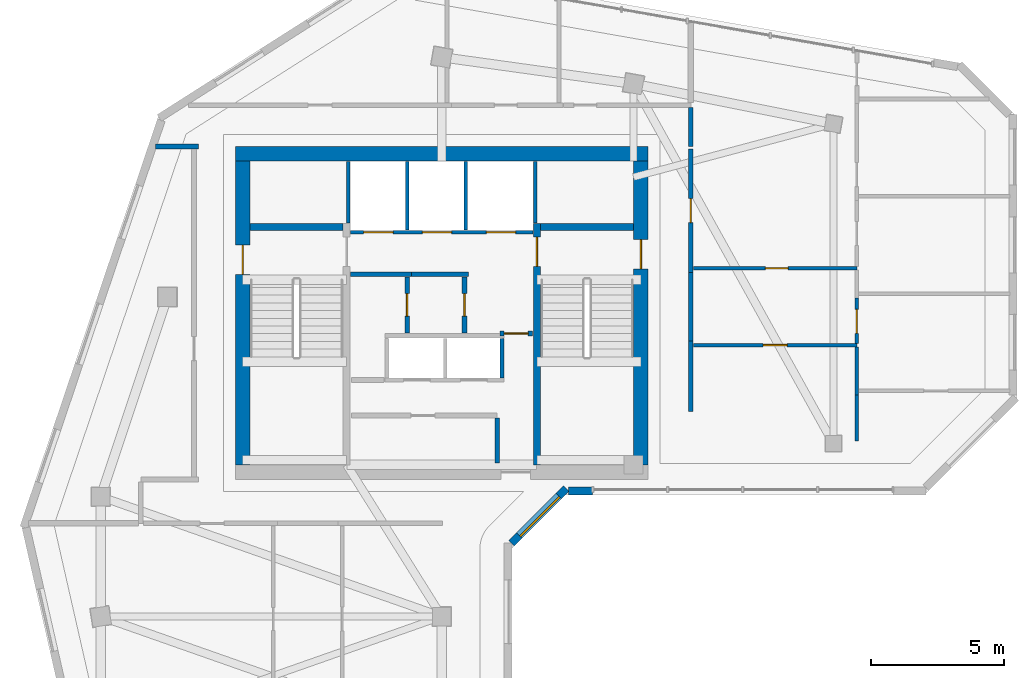
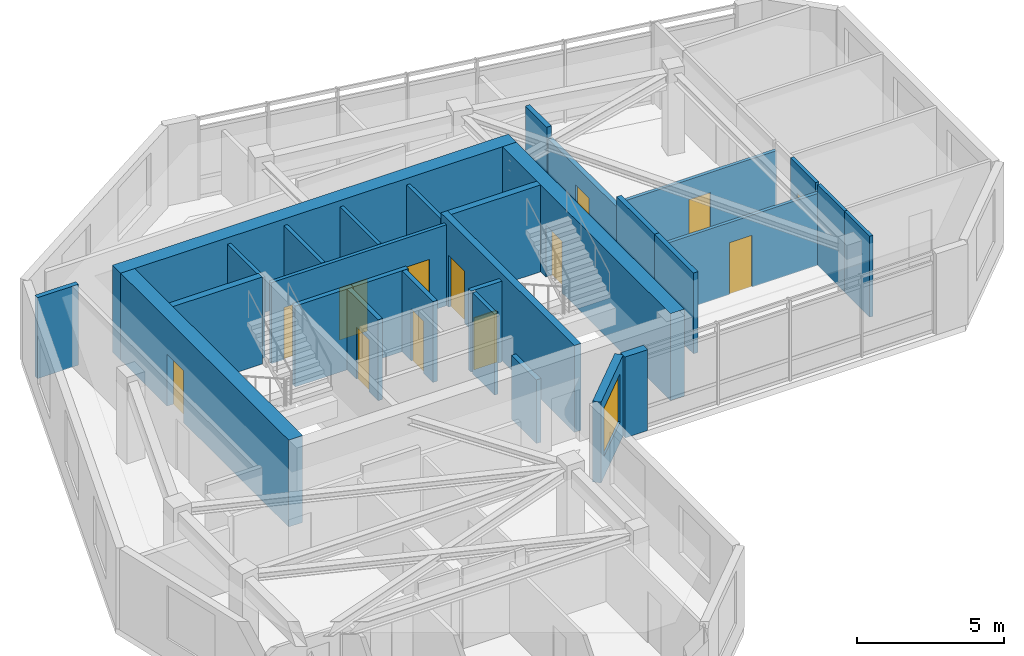
# One storey, part 5 of 10: 30 walls, 13 doors, 1 window, 14 openings.
"""IFC4 building model written with IfcOpenShell, lengths in metres."""

from ifc_helpers import new_model, si_unit, direction, frame, frame_2d, origin, place, context, subcontext, project, spatial, rectangle, extrude, source, transform, mapped, material, layer, layer_set, type_object, element, fill, save


model = new_model("IFC4")

# Units and contexts
model_context = context("Model", 3, precision=1e-05, world=origin(), true_north=direction((0.0, 1.0)))
body_context = subcontext(model_context, "Body", "Model", "MODEL_VIEW")
ifc_project = project(units=[si_unit("LENGTHUNIT", "METRE"), si_unit("AREAUNIT", "SQUARE_METRE"), si_unit("VOLUMEUNIT", "CUBIC_METRE"), si_unit("PLANEANGLEUNIT", "RADIAN"), si_unit("MASSUNIT", "GRAM", prefix="KILO")], contexts=[model_context])

# Site, building, storey
site_placement = place(None, origin())
site = spatial("IfcSite", under=ifc_project, at=site_placement, CompositionType="ELEMENT")
building_placement = place(site_placement, origin())
building = spatial("IfcBuilding", under=site, at=building_placement, Name="Calvemar Wedge Station Tower", CompositionType="ELEMENT")
storey_placement = place(building_placement, frame((0.0, 0.0, 256.5)))
storey = spatial("IfcBuildingStorey", under=building, at=storey_placement, Name="L65", CompositionType="ELEMENT", Elevation=256.5)

# Wall, opening, door
ifc_material_1 = material(Name="Concrete C50", Category="concrete")
ifc_layer_1 = layer(ifc_material_1, 0.260009765625)
ifc_layer_set_1 = layer_set([ifc_layer_1], Name="Concrete C50")
wall_type_1 = type_object("IfcWallType", Name="SW-CORE-260", PredefinedType="SHEAR", material=ifc_layer_set_1)
wall_1_placement = place(storey_placement, frame((27.3701171875, 34.199951171875, 0.0), z_axis=(0.0, 0.0, 1.0), x_axis=(0.0, 1.0, 0.0)))
wall_1 = element("IfcWall", 1, at=wall_1_placement, inside=storey, type_object=wall_type_1, Name="Storey L65 Core Shear Wall SPINE-E", PredefinedType="SHEAR", context=body_context, shape_type="SweptSolid", body=[
    extrude(rectangle(XDim=9.06005859375, YDim=0.260009765625, at=frame_2d((4.530029296875, 0.0))), origin(), (0.0, 0.0, 1.0), 3.60009765625),
])
shared_shape_1 = source(origin(), body_context, "Body", "SweptSolid", [
    extrude(rectangle(XDim=1.10009765625, YDim=2.14990234375, at=frame_2d((0.550048828125, 1.074951171875))), frame((0.0, 0.14013671875, 0.0), z_axis=(0.0, -1.0, 0.0), x_axis=(1.0, 0.0, 0.0)), (0.0, 0.0, 1.0), 0.280029296875),
])
opening_1_placement = place(wall_1_placement, frame((7.449951171875, 0.0, 0.0)))
opening_1 = element("IfcOpeningElement", 2, at=opening_1_placement, cuts=wall_1, Name="Opening FD-90", PredefinedType="OPENING", context=body_context, shape_type="MappedRepresentation", body=[
    mapped(shared_shape_1, transform((0.0, 0.0, 0.0), scale=1.0)),
])
ifc_material_2 = material(Name="Galvanized fire-rated steel door leaf P-90", Category="steel")
door_type_1 = type_object("IfcDoorType", Name="DR-FD90-1100", OperationType="NOTDEFINED", PredefinedType="DOOR", material=ifc_material_2)
shared_shape_2 = source(origin(), body_context, "Body", "SweptSolid", [
    extrude(rectangle(XDim=1.10009765625, YDim=2.14990234375, at=frame_2d((0.550048828125, 1.074951171875))), frame((0.0, 0.02490234375, 0.0), z_axis=(0.0, -1.0, 0.0), x_axis=(1.0, 0.0, 0.0)), (0.0, 0.0, 1.0), 0.050048828125),
])
door_1_placement = place(opening_1_placement, origin())
door_1 = element("IfcDoor", 3, at=door_1_placement, inside=storey, type_object=door_type_1, Name="L65 FF Lobby to Stair ST-C2 Door", OperationType="SINGLE_SWING_LEFT", OverallHeight=2.14990234375, OverallWidth=1.10009765625, PredefinedType="DOOR", context=body_context, shape_type="MappedRepresentation", body=[
    mapped(shared_shape_2, transform((0.0, 0.0, 0.0), scale=1.0)),
])
fill(opening_1, door_1)

# Walls
for number, where, z_axis, x_axis, name in (
    (4, (16.60009765625, 43.1298828125, 0.0), (0.0, 0.0, 1.0), (1.0, 0.0, 0.0), "Storey L65 Core Shear Wall STC1-N"),
    (5, (27.5, 43.1298828125, 0.0), (0.0, 0.0, 1.0), (1.0, 0.0, 0.0), "Storey L65 Core Shear Wall STC2-N"),
):
    element("IfcWall", number, at=place(storey_placement, frame(where, z_axis=z_axis, x_axis=x_axis)), inside=storey, type_object=wall_type_1, Name=name, PredefinedType="SHEAR", context=body_context, shape_type="SweptSolid", body=[
        extrude(rectangle(XDim=3.5, YDim=0.260009765625, at=frame_2d((1.75, 0.0))), origin(), (0.0, 0.0, 1.0), 3.60009765625),
    ])
ifc_material_3 = material(Name="Concrete C60", Category="concrete")
ifc_layer_2 = layer(ifc_material_3, 0.550048828125)
ifc_layer_set_2 = layer_set([ifc_layer_2], Name="Concrete C60")
wall_type_2 = type_object("IfcWallType", Name="SW-CORE-550", PredefinedType="SHEAR", material=ifc_layer_set_2)
wall_2_placement = place(storey_placement, frame((16.050048828125, 45.875, 0.0), z_axis=(0.0, 0.0, 1.0), x_axis=(1.0, 0.0, 0.0)))
element("IfcWall", 6, at=wall_2_placement, inside=storey, type_object=wall_type_2, Name="Storey L65 Core Shear Wall N", PredefinedType="SHEAR", context=body_context, shape_type="SweptSolid", body=[
    extrude(rectangle(XDim=15.5, YDim=0.550048828125, at=frame_2d((7.75, 0.0))), origin(), (0.0, 0.0, 1.0), 3.60009765625),
])

# Wall, opening, door
wall_3_placement = place(storey_placement, frame((16.324951171875, 34.199951171875, 0.0), z_axis=(0.0, 0.0, 1.0), x_axis=(0.0, 1.0, 0.0)))
wall_3 = element("IfcWall", 7, at=wall_3_placement, inside=storey, type_object=wall_type_2, Name="Storey L65 Core Shear Wall W", PredefinedType="SHEAR", context=body_context, shape_type="SweptSolid", body=[
    extrude(rectangle(XDim=11.400146484375, YDim=0.550048828125, at=frame_2d((5.7001953125, 0.0))), origin(), (0.0, 0.0, 1.0), 3.60009765625),
])
shared_shape_3 = source(origin(), body_context, "Body", "SweptSolid", [
    extrude(rectangle(XDim=1.10009765625, YDim=2.14990234375, at=frame_2d((0.550048828125, 1.074951171875))), frame((0.0, 0.28515625, 0.0), z_axis=(0.0, -1.0, 0.0), x_axis=(1.0, 0.0, 0.0)), (0.0, 0.0, 1.0), 0.570068359375),
])
opening_2_placement = place(wall_3_placement, frame((7.14990234375, 0.0, 0.0)))
opening_2 = element("IfcOpeningElement", 8, at=opening_2_placement, cuts=wall_3, Name="Opening FD-90", PredefinedType="OPENING", context=body_context, shape_type="MappedRepresentation", body=[
    mapped(shared_shape_3, transform((0.0, 0.0, 0.0), scale=1.0)),
])
door_2_placement = place(opening_2_placement, origin())
door_2 = element("IfcDoor", 9, at=door_2_placement, inside=storey, type_object=door_type_1, Name="L65 West Corridor to Exit Stair ST-C1 Door", OperationType="SINGLE_SWING_RIGHT", OverallHeight=2.14990234375, OverallWidth=1.10009765625, PredefinedType="DOOR", context=body_context, shape_type="MappedRepresentation", body=[
    mapped(shared_shape_2, transform((0.0, 0.0, 0.0), scale=1.0)),
])
fill(opening_2, door_2)

wall_4_placement = place(storey_placement, frame((31.27490234375, 34.199951171875, 0.0), z_axis=(0.0, 0.0, 1.0), x_axis=(0.0, 1.0, 0.0)))
wall_4 = element("IfcWall", 10, at=wall_4_placement, inside=storey, type_object=wall_type_2, Name="Storey L65 Core Shear Wall E", PredefinedType="SHEAR", context=body_context, shape_type="SweptSolid", body=[
    extrude(rectangle(XDim=11.400146484375, YDim=0.550048828125, at=frame_2d((5.7001953125, 0.0))), origin(), (0.0, 0.0, 1.0), 3.60009765625),
])
opening_3_placement = place(wall_4_placement, frame((7.35009765625, 0.0, 0.0)))
opening_3 = element("IfcOpeningElement", 11, at=opening_3_placement, cuts=wall_4, Name="Opening FD-90", PredefinedType="OPENING", context=body_context, shape_type="MappedRepresentation", body=[
    mapped(shared_shape_3, transform((0.0, 0.0, 0.0), scale=1.0)),
])
door_3_placement = place(opening_3_placement, origin())
door_3 = element("IfcDoor", 12, at=door_3_placement, inside=storey, type_object=door_type_1, Name="L65 East Corridor to Exit Stair ST-C2 Door", OperationType="SINGLE_SWING_LEFT", OverallHeight=2.14990234375, OverallWidth=1.10009765625, PredefinedType="DOOR", context=body_context, shape_type="MappedRepresentation", body=[
    mapped(shared_shape_2, transform((0.0, 0.0, 0.0), scale=1.0)),
])
fill(opening_3, door_3)

# Walls
ifc_material_4 = material(Name="Double-stud fire-rated corridor partition")
ifc_layer_3 = layer(ifc_material_4, 0.179931640625)
ifc_layer_set_3 = layer_set([ifc_layer_3], Name="Double-stud fire-rated corridor partition")
wall_type_3 = type_object("IfcWallType", Name="W-CORR-180", PredefinedType="PARTITIONING", material=ifc_layer_set_3)
wall_5_placement = place(storey_placement, frame((22.659912109375, 41.35009765625, 0.0), z_axis=(0.0, 0.0, 1.0), x_axis=(-1.0, 0.0, 0.0)))
element("IfcWall", 13, at=wall_5_placement, inside=storey, type_object=wall_type_3, Name="Storey L65 Interior Partition WL-L65-001", PredefinedType="PARTITIONING", context=body_context, shape_type="SweptSolid", body=[
    extrude(rectangle(XDim=2.280029296875, YDim=0.179931640625, at=frame_2d((1.14013671875, 0.0))), origin(), (0.0, 0.0, 1.0), 3.35009765625),
])
wall_6_placement = place(storey_placement, frame((24.81005859375, 41.35009765625, 0.0), z_axis=(0.0, 0.0, 1.0), x_axis=(-1.0, 0.0, 0.0)))
element("IfcWall", 14, at=wall_6_placement, inside=storey, type_object=wall_type_3, Name="Storey L65 Interior Partition WL-L65-002", PredefinedType="PARTITIONING", context=body_context, shape_type="SweptSolid", body=[
    extrude(rectangle(XDim=2.14794921875, YDim=0.179931640625, at=frame_2d((1.073974609375, 0.0))), origin(), (0.0, 0.0, 1.0), 3.35009765625),
])

# Wall, opening, door
wall_7_placement = place(storey_placement, frame((22.5, 41.256103515625, 0.0), z_axis=(0.0, 0.0, 1.0), x_axis=(0.0, -1.0, 0.0)))
wall_7 = element("IfcWall", 15, at=wall_7_placement, inside=storey, type_object=wall_type_3, Name="Storey L65 Interior Partition WL-L65-003", PredefinedType="PARTITIONING", context=body_context, shape_type="SweptSolid", body=[
    extrude(rectangle(XDim=2.106201171875, YDim=0.179931640625, at=frame_2d((1.05322265625, 0.0))), origin(), (0.0, 0.0, 1.0), 3.35009765625),
])
shared_shape_4 = source(origin(), body_context, "Body", "SweptSolid", [
    extrude(rectangle(XDim=0.85009765625, YDim=2.14990234375, at=frame_2d((0.425048828125, 1.074951171875))), frame((0.0, 0.10009765625, 0.0), z_axis=(0.0, -1.0, 0.0), x_axis=(1.0, 0.0, 0.0)), (0.0, 0.0, 1.0), 0.199951171875),
])
opening_4_placement = place(wall_7_placement, frame((0.6279296875, 0.0, 0.0)))
opening_4 = element("IfcOpeningElement", 16, at=opening_4_placement, cuts=wall_7, Name="Opening FD-60S", PredefinedType="OPENING", context=body_context, shape_type="MappedRepresentation", body=[
    mapped(shared_shape_4, transform((0.0, 0.0, 0.0), scale=1.0)),
])
ifc_material_5 = material(Name="Fire-rated steel and hardwood service door EI 60", Category="steel")
door_type_2 = type_object("IfcDoorType", Name="DR-CORE-FD60-850", OperationType="NOTDEFINED", PredefinedType="DOOR", material=ifc_material_5)
shared_shape_5 = source(origin(), body_context, "Body", "SweptSolid", [
    extrude(rectangle(XDim=0.85009765625, YDim=2.14990234375, at=frame_2d((0.425048828125, 1.074951171875))), frame((0.0, 0.02490234375, 0.0), z_axis=(0.0, -1.0, 0.0), x_axis=(1.0, 0.0, 0.0)), (0.0, 0.0, 1.0), 0.050048828125),
])
door_4_placement = place(opening_4_placement, origin())
door_4 = element("IfcDoor", 17, at=door_4_placement, inside=storey, type_object=door_type_2, Name="L65 IT and Telecoms Room Door", OperationType="SINGLE_SWING_LEFT", OverallHeight=2.14990234375, OverallWidth=0.85009765625, PredefinedType="DOOR", context=body_context, shape_type="MappedRepresentation", body=[
    mapped(shared_shape_5, transform((0.0, 0.0, 0.0), scale=1.0)),
])
fill(opening_4, door_4)

wall_8_placement = place(storey_placement, frame((24.64990234375, 41.256103515625, 0.0), z_axis=(0.0, 0.0, 1.0), x_axis=(0.0, -1.0, 0.0)))
wall_8 = element("IfcWall", 18, at=wall_8_placement, inside=storey, type_object=wall_type_3, Name="Storey L65 Interior Partition WL-L65-005", PredefinedType="PARTITIONING", context=body_context, shape_type="SweptSolid", body=[
    extrude(rectangle(XDim=2.106201171875, YDim=0.179931640625, at=frame_2d((1.05322265625, 0.0))), origin(), (0.0, 0.0, 1.0), 3.35009765625),
])
opening_5_placement = place(wall_8_placement, frame((0.6279296875, 0.0, 0.0)))
opening_5 = element("IfcOpeningElement", 19, at=opening_5_placement, cuts=wall_8, Name="Opening FD-60S", PredefinedType="OPENING", context=body_context, shape_type="MappedRepresentation", body=[
    mapped(shared_shape_4, transform((0.0, 0.0, 0.0), scale=1.0)),
])
door_5_placement = place(opening_5_placement, origin())
door_5 = element("IfcDoor", 20, at=door_5_placement, inside=storey, type_object=door_type_2, Name="L65 Core Equipment Store Door", OperationType="SINGLE_SWING_RIGHT", OverallHeight=2.14990234375, OverallWidth=0.85009765625, PredefinedType="DOOR", context=body_context, shape_type="MappedRepresentation", body=[
    mapped(shared_shape_5, transform((0.0, 0.0, 0.0), scale=1.0)),
])
fill(opening_5, door_5)

wall_9_placement = place(storey_placement, frame((27.199951171875, 39.1298828125, 0.0), z_axis=(0.0, 0.0, 1.0), x_axis=(-1.0, 0.0, 0.0)))
wall_9 = element("IfcWall", 21, at=wall_9_placement, inside=storey, type_object=wall_type_3, Name="Storey L65 Interior Partition WL-L65-006", PredefinedType="PARTITIONING", context=body_context, shape_type="SweptSolid", body=[
    extrude(rectangle(XDim=1.2099609375, YDim=0.179931640625, at=frame_2d((0.60498046875, 0.0))), origin(), (0.0, 0.0, 1.0), 3.35009765625),
])
shared_shape_6 = source(origin(), body_context, "Body", "SweptSolid", [
    extrude(rectangle(XDim=0.89990234375, YDim=2.14990234375, at=frame_2d((0.449951171875, 1.074951171875))), frame((0.0, 0.10009765625, 0.0), z_axis=(0.0, -1.0, 0.0), x_axis=(1.0, 0.0, 0.0)), (0.0, 0.0, 1.0), 0.199951171875),
])
opening_6_placement = place(wall_9_placement, frame((0.155029296875, 0.0, 0.0)))
opening_6 = element("IfcOpeningElement", 22, at=opening_6_placement, cuts=wall_9, Name="Opening FD-60", PredefinedType="OPENING", context=body_context, shape_type="MappedRepresentation", body=[
    mapped(shared_shape_6, transform((0.0, 0.0, 0.0), scale=1.0)),
])
ifc_material_6 = material(Name="Fire-rated acoustic timber-core entrance door EI 60", Category="wood")
door_type_3 = type_object("IfcDoorType", Name="DR-FD60-900", OperationType="NOTDEFINED", PredefinedType="DOOR", material=ifc_material_6)
shared_shape_7 = source(origin(), body_context, "Body", "SweptSolid", [
    extrude(rectangle(XDim=0.89990234375, YDim=2.14990234375, at=frame_2d((0.449951171875, 1.074951171875))), frame((0.0, 0.02490234375, 0.0), z_axis=(0.0, -1.0, 0.0), x_axis=(1.0, 0.0, 0.0)), (0.0, 0.0, 1.0), 0.050048828125),
])
door_6_placement = place(opening_6_placement, origin())
door_6 = element("IfcDoor", 23, at=door_6_placement, inside=storey, type_object=door_type_3, Name="L65 Core Service Lobby Door", OperationType="SINGLE_SWING_LEFT", OverallHeight=2.14990234375, OverallWidth=0.89990234375, PredefinedType="DOOR", context=body_context, shape_type="MappedRepresentation", body=[
    mapped(shared_shape_7, transform((0.0, 0.0, 0.0), scale=1.0)),
])
fill(opening_6, door_6)

# Walls
wall_10_placement = place(storey_placement, frame((25.8798828125, 35.9560546875, 0.0), z_axis=(0.0, 0.0, 1.0), x_axis=(0.0, -1.0, 0.0)))
element("IfcWall", 24, at=wall_10_placement, inside=storey, type_object=wall_type_3, Name="Storey L65 Interior Partition WL-L65-008", PredefinedType="PARTITIONING", context=body_context, shape_type="SweptSolid", body=[
    extrude(rectangle(XDim=1.68603515625, YDim=0.179931640625, at=frame_2d((0.843017578125, 0.0))), origin(), (0.0, 0.0, 1.0), 2.64208984375),
])
wall_11_placement = place(storey_placement, frame((14.659912109375, 46.14990234375, 0.0), z_axis=(0.0, 0.0, 1.0), x_axis=(-1.0, 0.0, 0.0)))
element("IfcWall", 25, at=wall_11_placement, inside=storey, type_object=wall_type_3, Name="Storey L65 Interior Partition WL-L65-015", PredefinedType="PARTITIONING", context=body_context, shape_type="SweptSolid", body=[
    extrude(rectangle(XDim=1.602294921875, YDim=0.179931640625, at=frame_2d((0.80126953125, 0.0))), origin(), (0.0, 0.0, 1.0), 3.35009765625),
])
wall_12_placement = place(storey_placement, frame((33.14990234375, 47.60595703125, 0.0), z_axis=(0.0, 0.0, 1.0), x_axis=(0.0, -1.0, 0.0)))
element("IfcWall", 26, at=wall_12_placement, inside=storey, type_object=wall_type_3, Name="Storey L65 Interior Partition WL-L65-019", PredefinedType="PARTITIONING", context=body_context, shape_type="SweptSolid", body=[
    extrude(rectangle(XDim=1.4560546875, YDim=0.179931640625, at=frame_2d((0.72802734375, 0.0))), origin(), (0.0, 0.0, 1.0), 3.35009765625),
])
wall_13_placement = place(storey_placement, frame((33.14990234375, 38.85205078125, 0.0), z_axis=(0.0, 0.0, 1.0), x_axis=(0.0, -1.0, 0.0)))
element("IfcWall", 27, at=wall_13_placement, inside=storey, type_object=wall_type_3, Name="Storey L65 Interior Partition WL-L65-020", PredefinedType="PARTITIONING", context=body_context, shape_type="SweptSolid", body=[
    extrude(rectangle(XDim=2.652099609375, YDim=0.179931640625, at=frame_2d((1.326171875, 0.0))), origin(), (0.0, 0.0, 1.0), 3.35009765625),
])

# Wall, opening, door
wall_14_placement = place(storey_placement, frame((33.14990234375, 46.055908203125, 0.0), z_axis=(0.0, 0.0, 1.0), x_axis=(0.0, -1.0, 0.0)))
wall_14 = element("IfcWall", 28, at=wall_14_placement, inside=storey, type_object=wall_type_3, Name="Storey L65 Interior Partition WL-L65-021", PredefinedType="PARTITIONING", context=body_context, shape_type="SweptSolid", body=[
    extrude(rectangle(XDim=4.635986328125, YDim=0.179931640625, at=frame_2d((2.31787109375, 0.0))), origin(), (0.0, 0.0, 1.0), 2.922119140625),
])
opening_7_placement = place(wall_14_placement, frame((1.867919921875, 0.0, 0.0)))
opening_7 = element("IfcOpeningElement", 29, at=opening_7_placement, cuts=wall_14, Name="Opening FD-60", PredefinedType="OPENING", context=body_context, shape_type="MappedRepresentation", body=[
    mapped(shared_shape_6, transform((0.0, 0.0, 0.0), scale=1.0)),
])
door_7_placement = place(opening_7_placement, origin())
door_7 = element("IfcDoor", 30, at=door_7_placement, inside=storey, type_object=door_type_3, Name="L65 Living Dining Door", OperationType="SINGLE_SWING_RIGHT", OverallHeight=2.14990234375, OverallWidth=0.89990234375, PredefinedType="DOOR", context=body_context, shape_type="MappedRepresentation", body=[
    mapped(shared_shape_7, transform((0.0, 0.0, 0.0), scale=1.0)),
])
fill(opening_7, door_7)

# Wall
wall_15_placement = place(storey_placement, frame((33.14990234375, 41.41796875, 0.0), z_axis=(0.0, 0.0, 1.0), x_axis=(0.0, -1.0, 0.0)))
element("IfcWall", 31, at=wall_15_placement, inside=storey, type_object=wall_type_3, Name="Storey L65 Interior Partition WL-L65-022", PredefinedType="PARTITIONING", context=body_context, shape_type="SweptSolid", body=[
    extrude(rectangle(XDim=2.56396484375, YDim=0.179931640625, at=frame_2d((1.281982421875, 0.0))), origin(), (0.0, 0.0, 1.0), 3.35009765625),
])

# Wall, opening, window
ifc_material_7 = material(Name="Precast concrete C45", Category="concrete")
ifc_layer_4 = layer(ifc_material_7, 0.300048828125)
ifc_layer_set_4 = layer_set([ifc_layer_4], Name="Precast concrete C45")
wall_type_4 = type_object("IfcWallType", Name="W-EXT-GFRC-300", PredefinedType="SOLIDWALL", material=ifc_layer_set_4)
wall_16_placement = place(storey_placement, frame((26.419921875, 31.256103515625, 0.0), z_axis=(0.0, 0.0, 1.0), x_axis=(0.707106781187, 0.707106781187, 0.0)))
wall_16 = element("IfcWall", 32, at=wall_16_placement, inside=storey, type_object=wall_type_4, Name="Storey L65 Bronze GFRC Exterior Wall 5", PredefinedType="SOLIDWALL", context=body_context, shape_type="SweptSolid", body=[
    extrude(rectangle(XDim=2.907470703125, YDim=0.300048828125, at=frame_2d((1.45361328125, 0.0))), origin(), (0.0, 0.0, 1.0), 3.35009765625),
])
shared_shape_8 = source(origin(), body_context, "Body", "SweptSolid", [
    extrude(rectangle(XDim=2.10009765625, YDim=2.0, at=frame_2d((1.050048828125, 1.0))), frame((0.0, 0.16015625, 0.0), z_axis=(0.0, -1.0, 0.0), x_axis=(1.0, 0.0, 0.0)), (0.0, 0.0, 1.0), 0.320068359375),
])
opening_8_placement = place(wall_16_placement, frame((0.404052734375, 0.0, 0.85009765625)))
opening_8 = element("IfcOpeningElement", 33, at=opening_8_placement, cuts=wall_16, Name="Opening W4", PredefinedType="OPENING", context=body_context, shape_type="MappedRepresentation", body=[
    mapped(shared_shape_8, transform((0.0, 0.0, 0.0), scale=1.0)),
])
ifc_material_8 = material(Name="Low-E laminated insulated glass", Category="glass")
window_type = type_object("IfcWindowType", Name="WIN-EXT-4", PartitioningType="SINGLE_PANEL", PredefinedType="WINDOW", material=ifc_material_8)
shared_shape_9 = source(origin(), body_context, "Body", "SweptSolid", [
    extrude(rectangle(XDim=2.10009765625, YDim=2.0, at=frame_2d((1.050048828125, 1.0))), frame((0.0, -0.014892578125, 0.0), z_axis=(0.0, -1.0, 0.0), x_axis=(1.0, 0.0, 0.0)), (0.0, 0.0, 1.0), 0.06005859375),
])
window_placement = place(opening_8_placement, origin())
window = element("IfcWindow", 34, at=window_placement, inside=storey, type_object=window_type, Name="Storey L65 Recessed Window 5.1", OverallHeight=2.0, OverallWidth=2.10009765625, PartitioningType="SINGLE_PANEL", PredefinedType="WINDOW", context=body_context, shape_type="MappedRepresentation", body=[
    mapped(shared_shape_9, transform((0.0, 0.0, 0.0), scale=1.0)),
])
fill(opening_8, window)

# Wall
wall_17_placement = place(storey_placement, frame((28.56494140625, 33.2060546875, 0.0), z_axis=(0.0, 0.0, 1.0), x_axis=(1.0, 0.0, 0.0)))
element("IfcWall", 35, at=wall_17_placement, inside=storey, type_object=wall_type_4, Name="Storey L65 Bronze GFRC Corner Pier 6A", PredefinedType="SOLIDWALL", context=body_context, shape_type="SweptSolid", body=[
    extrude(rectangle(XDim=0.885009765625, YDim=0.300048828125, at=frame_2d((0.4423828125, 0.0))), origin(), (0.0, 0.0, 1.0), 3.35009765625),
])

# Wall, openings, doors
ifc_material_9 = material(Name="Reinforced concrete blockwork lift shaft wall", Category="masonry")
ifc_layer_5 = layer(ifc_material_9, 0.139892578125)
ifc_layer_set_5 = layer_set([ifc_layer_5], Name="Reinforced concrete blockwork lift shaft wall")
wall_type_5 = type_object("IfcWallType", Name="W-LIFT-160", PredefinedType="SOLIDWALL", material=ifc_layer_set_5)
wall_18_placement = place(storey_placement, frame((20.3701171875, 42.929931640625, 0.0), z_axis=(0.0, 0.0, 1.0), x_axis=(1.0, 0.0, 0.0)))
wall_18 = element("IfcWall", 36, at=wall_18_placement, inside=storey, type_object=wall_type_5, Name="Storey L65 Firefighting and Service Lift Shaft Front Wall", PredefinedType="SOLIDWALL", context=body_context, shape_type="SweptSolid", body=[
    extrude(rectangle(XDim=6.85986328125, YDim=0.139892578125, at=frame_2d((3.429931640625, 0.0))), origin(), (0.0, 0.0, 1.0), 3.35009765625),
])
shared_shape_10 = source(origin(), body_context, "Body", "SweptSolid", [
    extrude(rectangle(XDim=1.10009765625, YDim=2.14990234375, at=frame_2d((0.550048828125, 1.074951171875))), frame((0.0, 0.080078125, 0.0), z_axis=(0.0, -1.0, 0.0), x_axis=(1.0, 0.0, 0.0)), (0.0, 0.0, 1.0), 0.159912109375),
])
opening_9_placement = place(wall_18_placement, frame((0.5, 0.0, 0.0)))
opening_9 = element("IfcOpeningElement", 37, at=opening_9_placement, cuts=wall_18, Name="Opening LD-FF", PredefinedType="OPENING", context=body_context, shape_type="MappedRepresentation", body=[
    mapped(shared_shape_10, transform((0.0, 0.0, 0.0), scale=1.0)),
])
opening_10_placement = place(wall_18_placement, frame((2.699951171875, 0.0, 0.0)))
opening_10 = element("IfcOpeningElement", 38, at=opening_10_placement, cuts=wall_18, Name="Opening LD-FF", PredefinedType="OPENING", context=body_context, shape_type="MappedRepresentation", body=[
    mapped(shared_shape_10, transform((0.0, 0.0, 0.0), scale=1.0)),
])
opening_11_placement = place(wall_18_placement, frame((5.10009765625, 0.0, 0.0)))
opening_11 = element("IfcOpeningElement", 39, at=opening_11_placement, cuts=wall_18, Name="Opening LD-STN", PredefinedType="OPENING", context=body_context, shape_type="MappedRepresentation", body=[
    mapped(shared_shape_10, transform((0.0, 0.0, 0.0), scale=1.0)),
])
ifc_material_10 = material(Name="Stainless steel firefighting lift sliding landing door", Category="steel")
door_type_4 = type_object("IfcDoorType", Name="DR-LD-FF-1100", OperationType="SLIDING_TO_LEFT", PredefinedType="DOOR", material=ifc_material_10)
shared_shape_11 = source(origin(), body_context, "Body", "SweptSolid", [
    extrude(rectangle(XDim=1.10009765625, YDim=2.14990234375, at=frame_2d((0.550048828125, 1.074951171875))), frame((0.0, 0.02490234375, 0.0), z_axis=(0.0, -1.0, 0.0), x_axis=(1.0, 0.0, 0.0)), (0.0, 0.0, 1.0), 0.050048828125),
])
door_8_placement = place(opening_9_placement, origin())
door_8 = element("IfcDoor", 40, at=door_8_placement, inside=storey, type_object=door_type_4, Name="L65 Lift FF-01 Sliding Landing Door", OperationType="SLIDING_TO_LEFT", OverallHeight=2.14990234375, OverallWidth=1.10009765625, PredefinedType="DOOR", context=body_context, shape_type="MappedRepresentation", body=[
    mapped(shared_shape_11, transform((0.0, 0.0, 0.0), scale=1.0)),
])
fill(opening_9, door_8)
door_9_placement = place(opening_10_placement, origin())
door_9 = element("IfcDoor", 41, at=door_9_placement, inside=storey, type_object=door_type_4, Name="L65 Lift FF-02 Sliding Landing Door", OperationType="SLIDING_TO_RIGHT", OverallHeight=2.14990234375, OverallWidth=1.10009765625, PredefinedType="DOOR", context=body_context, shape_type="MappedRepresentation", body=[
    mapped(shared_shape_11, transform((0.0, 0.0, 0.0), scale=1.0)),
])
fill(opening_10, door_9)
ifc_material_11 = material(Name="Stainless steel transit lift sliding landing door", Category="steel")
door_type_5 = type_object("IfcDoorType", Name="DR-LD-PAX-1100", OperationType="SLIDING_TO_LEFT", PredefinedType="DOOR", material=ifc_material_11)
shared_shape_12 = source(origin(), body_context, "Body", "SweptSolid", [
    extrude(rectangle(XDim=1.10009765625, YDim=2.14990234375, at=frame_2d((0.550048828125, 1.074951171875))), frame((0.0, 0.02490234375, 0.0), z_axis=(0.0, -1.0, 0.0), x_axis=(1.0, 0.0, 0.0)), (0.0, 0.0, 1.0), 0.050048828125),
])
door_10_placement = place(opening_11_placement, origin())
door_10 = element("IfcDoor", 42, at=door_10_placement, inside=storey, type_object=door_type_5, Name="L65 Lift SV-01 Sliding Landing Door", OperationType="SLIDING_TO_LEFT", OverallHeight=2.14990234375, OverallWidth=1.10009765625, PredefinedType="DOOR", context=body_context, shape_type="MappedRepresentation", body=[
    mapped(shared_shape_12, transform((0.0, 0.0, 0.0), scale=1.0)),
])
fill(opening_11, door_10)

# Walls
for number, where, z_axis, x_axis, name in (
    (43, (20.2900390625, 43.280029296875, 0.0), (0.0, 0.0, 1.0), (0.0, 1.0, 0.0), "Storey L65 Firefighting Lift Shaft Enclosure Wall W"),
    (44, (27.31005859375, 43.280029296875, 0.0), (0.0, 0.0, 1.0), (0.0, 1.0, 0.0), "Storey L65 Firefighting Lift Shaft Enclosure Wall E"),
):
    element("IfcWall", number, at=place(storey_placement, frame(where, z_axis=z_axis, x_axis=x_axis)), inside=storey, type_object=wall_type_5, Name=name, PredefinedType="SOLIDWALL", context=body_context, shape_type="SweptSolid", body=[
        extrude(rectangle(XDim=2.300048828125, YDim=0.139892578125, at=frame_2d((1.14990234375, 0.0))), origin(), (0.0, 0.0, 1.0), 3.35009765625),
    ])
for number, where, z_axis, x_axis, name in (
    (45, (22.5, 43.02001953125, 0.0), (0.0, 0.0, 1.0), (0.0, 1.0, 0.0), "Storey L65 Firefighting Lift Shaft Enclosure Wall D1"),
    (46, (24.699951171875, 43.02001953125, 0.0), (0.0, 0.0, 1.0), (0.0, 1.0, 0.0), "Storey L65 Firefighting Lift Shaft Enclosure Wall D2"),
):
    element("IfcWall", number, at=place(storey_placement, frame(where, z_axis=z_axis, x_axis=x_axis)), inside=storey, type_object=wall_type_5, Name=name, PredefinedType="SOLIDWALL", context=body_context, shape_type="SweptSolid", body=[
        extrude(rectangle(XDim=2.56005859375, YDim=0.139892578125, at=frame_2d((1.280029296875, 0.0))), origin(), (0.0, 0.0, 1.0), 3.35009765625),
    ])
wall_19_placement = place(storey_placement, frame((26.06005859375, 37.4599609375, 0.0), z_axis=(0.0, 0.0, 1.0), x_axis=(0.0, 1.0, 0.0)))
element("IfcWall", 47, at=wall_19_placement, inside=storey, type_object=wall_type_5, Name="Storey L65 Upper Passenger Lift Shaft Wall E", PredefinedType="SOLIDWALL", context=body_context, shape_type="SweptSolid", body=[
    extrude(rectangle(XDim=1.47998046875, YDim=0.139892578125, at=frame_2d((0.739990234375, 0.0))), origin(), (0.0, 0.0, 1.0), 3.35009765625),
])

# Wall, opening, door
ifc_material_12 = material(Name="Insulated acoustic gypsum stud partition")
ifc_layer_6 = layer(ifc_material_12, 0.125)
ifc_layer_set_6 = layer_set([ifc_layer_6], Name="Insulated acoustic gypsum stud partition")
wall_type_6 = type_object("IfcWallType", Name="W-PART-125", PredefinedType="PARTITIONING", material=ifc_layer_set_6)
wall_20_placement = place(storey_placement, frame((33.243896484375, 38.69189453125, 0.0), z_axis=(0.0, 0.0, 1.0), x_axis=(1.0, 0.0, 0.0)))
wall_20 = element("IfcWall", 48, at=wall_20_placement, inside=storey, type_object=wall_type_6, Name="Storey L65 Interior Partition WL-L65-027", PredefinedType="PARTITIONING", context=body_context, shape_type="SweptSolid", body=[
    extrude(rectangle(XDim=6.13818359375, YDim=0.125, at=frame_2d((3.069091796875, 0.0))), origin(), (0.0, 0.0, 1.0), 2.97900390625),
])
shared_shape_13 = source(origin(), body_context, "Body", "SweptSolid", [
    extrude(rectangle(XDim=0.89990234375, YDim=2.14990234375, at=frame_2d((0.449951171875, 1.074951171875))), frame((0.0, 0.072509765625, 0.0), z_axis=(0.0, -1.0, 0.0), x_axis=(1.0, 0.0, 0.0)), (0.0, 0.0, 1.0), 0.14501953125),
])
opening_12_placement = place(wall_20_placement, frame((2.618896484375, 0.0, 0.0)))
opening_12 = element("IfcOpeningElement", 49, at=opening_12_placement, cuts=wall_20, Name="Opening D-01", PredefinedType="OPENING", context=body_context, shape_type="MappedRepresentation", body=[
    mapped(shared_shape_13, transform((0.0, 0.0, 0.0), scale=1.0)),
])
ifc_material_13 = material(Name="Architectural hardwood acoustic swing door", Category="wood")
door_type_6 = type_object("IfcDoorType", Name="DR-INT-900", OperationType="NOTDEFINED", PredefinedType="DOOR", material=ifc_material_13)
shared_shape_14 = source(origin(), body_context, "Body", "SweptSolid", [
    extrude(rectangle(XDim=0.89990234375, YDim=2.14990234375, at=frame_2d((0.449951171875, 1.074951171875))), frame((0.0, 0.02490234375, 0.0), z_axis=(0.0, -1.0, 0.0), x_axis=(1.0, 0.0, 0.0)), (0.0, 0.0, 1.0), 0.050048828125),
])
door_11_placement = place(opening_12_placement, origin())
door_11 = element("IfcDoor", 50, at=door_11_placement, inside=storey, type_object=door_type_6, Name="L65 Study Door", OperationType="SINGLE_SWING_LEFT", OverallHeight=2.14990234375, OverallWidth=0.89990234375, PredefinedType="DOOR", context=body_context, shape_type="MappedRepresentation", body=[
    mapped(shared_shape_14, transform((0.0, 0.0, 0.0), scale=1.0)),
])
fill(opening_12, door_11)

# Walls
wall_21_placement = place(storey_placement, frame((39.382080078125, 38.62548828125, 0.0), z_axis=(0.0, 0.0, 1.0), x_axis=(0.0, -1.0, 0.0)))
element("IfcWall", 51, at=wall_21_placement, inside=storey, type_object=wall_type_6, Name="Storey L65 Interior Partition WL-L65-028", PredefinedType="PARTITIONING", context=body_context, shape_type="SweptSolid", body=[
    extrude(rectangle(XDim=1.8125, YDim=0.125, at=frame_2d((0.90625, 0.0))), origin(), (0.0, 0.0, 1.0), 3.35009765625),
])
wall_22_placement = place(storey_placement, frame((39.382080078125, 36.81103515625, 0.0), z_axis=(0.0, 0.0, 1.0), x_axis=(0.0, -1.0, 0.0)))
element("IfcWall", 52, at=wall_22_placement, inside=storey, type_object=wall_type_6, Name="Storey L65 Interior Partition WL-L65-029", PredefinedType="PARTITIONING", context=body_context, shape_type="SweptSolid", body=[
    extrude(rectangle(XDim=1.718994140625, YDim=0.125, at=frame_2d((0.859375, 0.0))), origin(), (0.0, 0.0, 1.0), 3.35009765625),
])

# Wall, opening, door
wall_23_placement = place(storey_placement, frame((39.382080078125, 41.580078125, 0.0), z_axis=(0.0, 0.0, 1.0), x_axis=(-1.0, 0.0, 0.0)))
wall_23 = element("IfcWall", 53, at=wall_23_placement, inside=storey, type_object=wall_type_6, Name="Storey L65 Interior Partition WL-L65-030", PredefinedType="PARTITIONING", context=body_context, shape_type="SweptSolid", body=[
    extrude(rectangle(XDim=6.13818359375, YDim=0.125, at=frame_2d((3.069091796875, 0.0))), origin(), (0.0, 0.0, 1.0), 2.97900390625),
])
shared_shape_15 = source(origin(), body_context, "Body", "SweptSolid", [
    extrude(rectangle(XDim=0.85009765625, YDim=2.14990234375, at=frame_2d((0.425048828125, 1.074951171875))), frame((0.0, 0.072509765625, 0.0), z_axis=(0.0, -1.0, 0.0), x_axis=(1.0, 0.0, 0.0)), (0.0, 0.0, 1.0), 0.14501953125),
])
opening_13_placement = place(wall_23_placement, frame((2.58349609375, 0.0, 0.0)))
opening_13 = element("IfcOpeningElement", 54, at=opening_13_placement, cuts=wall_23, Name="Opening D-02", PredefinedType="OPENING", context=body_context, shape_type="MappedRepresentation", body=[
    mapped(shared_shape_15, transform((0.0, 0.0, 0.0), scale=1.0)),
])
ifc_material_14 = material(Name="Moisture-sealed bathroom hardwood swing door", Category="wood")
door_type_7 = type_object("IfcDoorType", Name="DR-WET-850", OperationType="NOTDEFINED", PredefinedType="DOOR", material=ifc_material_14)
shared_shape_16 = source(origin(), body_context, "Body", "SweptSolid", [
    extrude(rectangle(XDim=0.85009765625, YDim=2.14990234375, at=frame_2d((0.425048828125, 1.074951171875))), frame((0.0, 0.02490234375, 0.0), z_axis=(0.0, -1.0, 0.0), x_axis=(1.0, 0.0, 0.0)), (0.0, 0.0, 1.0), 0.050048828125),
])
door_12_placement = place(opening_13_placement, origin())
door_12 = element("IfcDoor", 55, at=door_12_placement, inside=storey, type_object=door_type_7, Name="L65 Kitchen Door", OperationType="SINGLE_SWING_LEFT", OverallHeight=2.14990234375, OverallWidth=0.85009765625, PredefinedType="DOOR", context=body_context, shape_type="MappedRepresentation", body=[
    mapped(shared_shape_16, transform((0.0, 0.0, 0.0), scale=1.0)),
])
fill(opening_13, door_12)

wall_24_placement = place(storey_placement, frame((39.382080078125, 40.464111328125, 0.0), z_axis=(0.0, 0.0, 1.0), x_axis=(0.0, -1.0, 0.0)))
wall_24 = element("IfcWall", 56, at=wall_24_placement, inside=storey, type_object=wall_type_6, Name="Storey L65 Interior Partition WL-L65-035", PredefinedType="PARTITIONING", context=body_context, shape_type="SweptSolid", body=[
    extrude(rectangle(XDim=1.70556640625, YDim=0.125, at=frame_2d((0.852783203125, 0.0))), origin(), (0.0, 0.0, 1.0), 3.35009765625),
])
opening_14_placement = place(wall_24_placement, frame((0.433349609375, 0.0, 0.0)))
opening_14 = element("IfcOpeningElement", 57, at=opening_14_placement, cuts=wall_24, Name="Opening D-01", PredefinedType="OPENING", context=body_context, shape_type="MappedRepresentation", body=[
    mapped(shared_shape_13, transform((0.0, 0.0, 0.0), scale=1.0)),
])
door_13_placement = place(opening_14_placement, origin())
door_13 = element("IfcDoor", 58, at=door_13_placement, inside=storey, type_object=door_type_6, Name="L65 Bedroom Door", OperationType="SINGLE_SWING_LEFT", OverallHeight=2.14990234375, OverallWidth=0.89990234375, PredefinedType="DOOR", context=body_context, shape_type="MappedRepresentation", body=[
    mapped(shared_shape_14, transform((0.0, 0.0, 0.0), scale=1.0)),
])
fill(opening_14, door_13)

save(model, "model.ifc")
